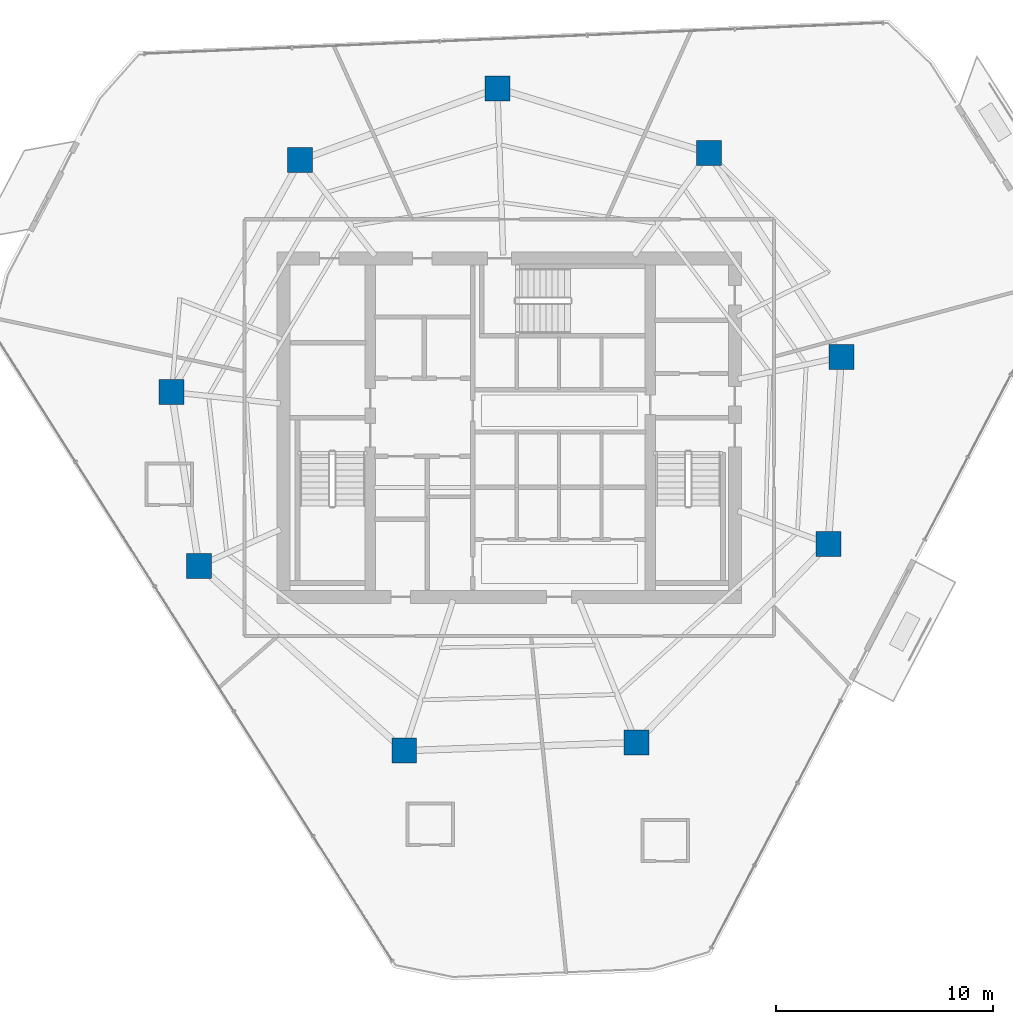
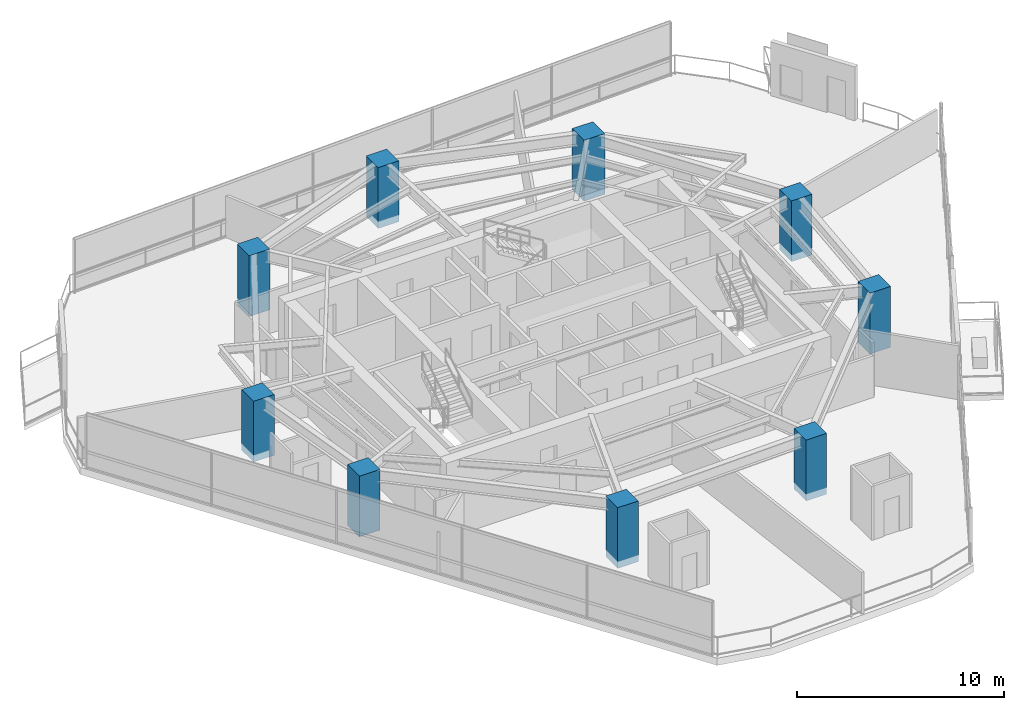
# One storey, part 1 of 25: 9 columns.
"""IFC4 building model written with IfcOpenShell, lengths in metres."""

from ifc_helpers import new_model, si_unit, direction, frame, origin, origin_2d, place, context, subcontext, project, spatial, rectangle, extrude, material, material_profile, profile_set, type_object, element, save


model = new_model("IFC4")

# Units and contexts
model_context = context("Model", 3, precision=1e-05, world=origin(), true_north=direction((0.0, 1.0)))
body_context = subcontext(model_context, "Body", "Model", "MODEL_VIEW")
ifc_project = project(units=[si_unit("LENGTHUNIT", "METRE"), si_unit("AREAUNIT", "SQUARE_METRE"), si_unit("VOLUMEUNIT", "CUBIC_METRE"), si_unit("PLANEANGLEUNIT", "RADIAN"), si_unit("MASSUNIT", "GRAM", prefix="KILO")], contexts=[model_context])

# Site, building, storey
site_placement = place(None, origin())
site = spatial("IfcSite", under=ifc_project, at=site_placement, CompositionType="ELEMENT")
building_placement = place(site_placement, origin())
building = spatial("IfcBuilding", under=site, at=building_placement, Name="Qarnah Convention Tower", CompositionType="ELEMENT")
storey_placement = place(building_placement, frame((0.0, 0.0, 76.35009765625)))
storey = spatial("IfcBuildingStorey", under=building, at=storey_placement, Name="L19", CompositionType="ELEMENT", Elevation=76.35009765625)

# Columns
ifc_material = material(Name="Concrete C60/75", Category="concrete")
ifc_material_profile = material_profile(ifc_material, rectangle(XDim=1.14990234375, YDim=1.14990234375, at=origin_2d()), Name="RC-COL-1150X1150")
ifc_profile_set = profile_set([ifc_material_profile], Name="Concrete C60/75")
column_type = type_object("IfcColumnType", Name="COL-Z2-1150", PredefinedType="COLUMN", material=ifc_profile_set)
for number, where, z_axis, x_axis, name in (
    (1, (52.508056640625, 29.654052734375, -0.405029296875), (0.0, 0.0, 1.0), (1.0, 0.0, 0.0), "L19 plumb column PC-Z2-01"),
    (2, (46.39892578125, 39.06103515625, -0.405029296875), (0.0, 0.0, 1.0), (1.0, 0.0, 0.0), "L19 plumb column PC-Z2-02"),
    (3, (36.654052734375, 42.0400390625, -0.405029296875), (0.0, 0.0, 1.0), (1.0, 0.0, 0.0), "L19 plumb column PC-Z2-03"),
    (4, (27.56494140625, 38.73193359375, -0.405029296875), (0.0, 0.0, 1.0), (1.0, 0.0, 0.0), "L19 plumb column PC-Z2-04"),
    (5, (21.635986328125, 28.035888671875, -0.405029296875), (0.0, 0.0, 1.0), (1.0, 0.0, 0.0), "L19 plumb column PC-Z2-05"),
    (6, (22.903076171875, 20.034912109375, -0.405029296875), (0.0, 0.0, 1.0), (1.0, 0.0, 0.0), "L19 plumb column PC-Z2-06"),
    (7, (32.364013671875, 11.51611328125, -0.405029296875), (0.0, 0.0, 1.0), (1.0, 0.0, 0.0), "L19 plumb column PC-Z2-07"),
    (8, (43.06298828125, 11.889892578125, -0.405029296875), (0.0, 0.0, 1.0), (1.0, 0.0, 0.0), "L19 plumb column PC-Z2-08"),
    (9, (51.906005859375, 21.047119140625, -0.405029296875), (0.0, 0.0, 1.0), (1.0, 0.0, 0.0), "L19 plumb column PC-Z2-09"),
):
    element("IfcColumn", number, at=place(storey_placement, frame(where, z_axis=z_axis, x_axis=x_axis)), inside=storey, type_object=column_type, Name=name, PredefinedType="COLUMN", context=body_context, shape_type="SweptSolid", body=[
        extrude(rectangle(XDim=1.14990234375, YDim=1.14990234375, at=origin_2d()), origin(), (0.0, 0.0, 1.0), 3.574951171875),
    ])

save(model, "model.ifc")
